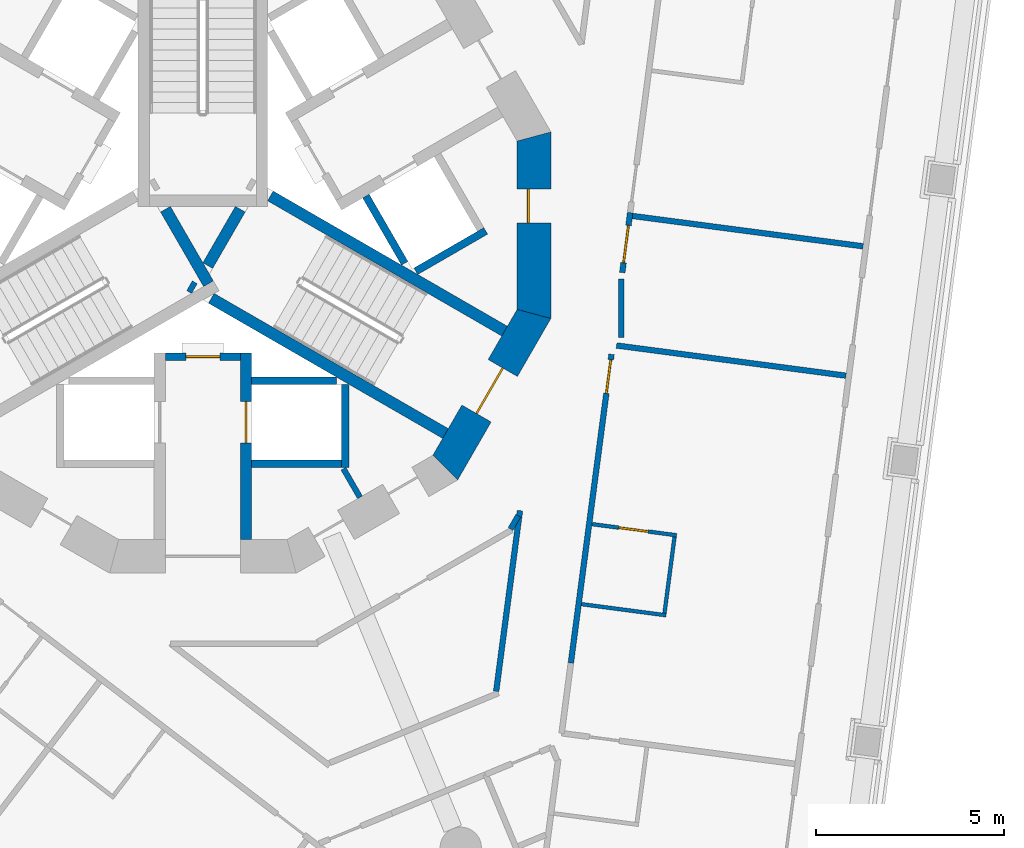
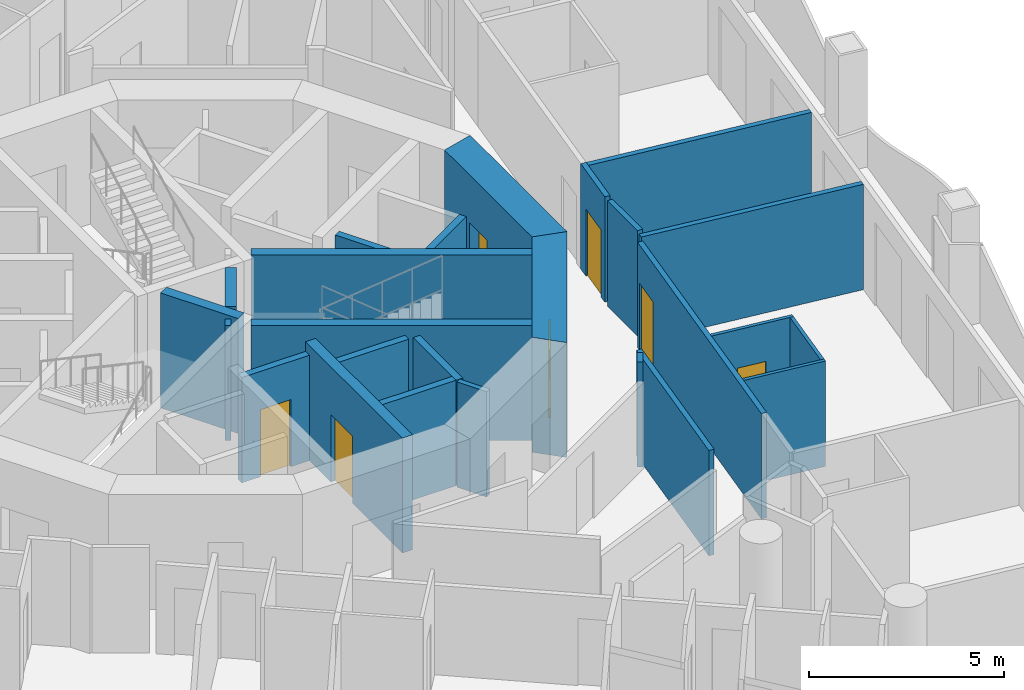
# One storey, part 5 of 18: 25 walls, 7 doors, 7 openings.
"""IFC4 building model written with IfcOpenShell, lengths in metres."""

from ifc_helpers import new_model, si_unit, direction, frame, frame_2d, origin, place, context, subcontext, project, spatial, polyline, rectangle, outline, extrude, material, layer, layer_set, type_object, element, fill, save


model = new_model("IFC4")

# Units and contexts
model_context = context("Model", 3, precision=1e-05, world=origin(), true_north=direction((0.0, 1.0)))
body_context = subcontext(model_context, "Body", "Model", "MODEL_VIEW")
ifc_project = project(units=[si_unit("LENGTHUNIT", "METRE"), si_unit("AREAUNIT", "SQUARE_METRE"), si_unit("VOLUMEUNIT", "CUBIC_METRE"), si_unit("PLANEANGLEUNIT", "RADIAN"), si_unit("MASSUNIT", "GRAM", prefix="KILO")], contexts=[model_context])

# Site, building, storey
site_placement = place(None, origin())
site = spatial("IfcSite", under=ifc_project, at=site_placement, CompositionType="ELEMENT")
building_placement = place(site_placement, origin())
building = spatial("IfcBuilding", under=site, at=building_placement, Name="Trine Commons Tower", CompositionType="ELEMENT")
storey_placement = place(building_placement, frame((0.0, 0.0, 142.199951171875)))
storey = spatial("IfcBuildingStorey", under=building, at=storey_placement, Name="L36", CompositionType="ELEMENT", Elevation=142.199951171875)

# Wall
ifc_material_1 = material(Name="Plasterboard partition on steel studs", Category="steel")
ifc_layer_1 = layer(ifc_material_1, 0.14990234375)
ifc_layer_set_1 = layer_set([ifc_layer_1], Name="Plasterboard partition on steel studs")
wall_type_1 = type_object("IfcWallType", Name="Core room partition 150 mm, EI 60", PredefinedType="PARTITIONING", material=ifc_layer_set_1)
wall_1_placement = place(storey_placement, frame((84.18603515625, 55.2490234375, 0.0), z_axis=(0.0, 0.0, 1.0), x_axis=(-0.499890179513, 0.866088799389, 0.0)))
element("IfcWall", 1, at=wall_1_placement, inside=storey, type_object=wall_type_1, Name="Core room partition L36", PredefinedType="PARTITIONING", context=body_context, shape_type="SweptSolid", body=[
    extrude(rectangle(XDim=0.882080078125, YDim=0.14990234375, at=frame_2d((0.44091796875, 0.0))), origin(), (0.0, 0.0, 1.0), 3.300048828125),
])

# Wall, opening, door
ifc_material_2 = material(Name="Fire-rated gypsum shaft wall system")
ifc_layer_2 = layer(ifc_material_2, 0.199951171875)
ifc_layer_set_2 = layer_set([ifc_layer_2], Name="Fire-rated gypsum shaft wall system")
wall_type_2 = type_object("IfcWallType", Name="Lobby end wall 200 mm, EI 120", PredefinedType="PARTITIONING", material=ifc_layer_set_2)
wall_2_placement = place(storey_placement, frame((79.0, 59.0, 0.0), z_axis=(0.0, 0.0, 1.0), x_axis=(1.0, 0.0, 0.0)))
wall_2 = element("IfcWall", 2, at=wall_2_placement, inside=storey, type_object=wall_type_2, Name="Lobby end wall L36", PredefinedType="PARTITIONING", context=body_context, shape_type="SweptSolid", body=[
    extrude(rectangle(XDim=2.0, YDim=0.199951171875, at=frame_2d((1.0, 0.0))), origin(), (0.0, 0.0, 1.0), 3.300048828125),
])
opening_1_placement = place(wall_2_placement, frame((0.550048828125, 0.0, 0.0)))
opening_1 = element("IfcOpeningElement", 3, at=opening_1_placement, cuts=wall_2, Name="Opening K11.09", PredefinedType="OPENING", context=body_context, shape_type="SweptSolid", body=[
    extrude(rectangle(XDim=0.89990234375, YDim=2.10009765625, at=frame_2d((0.449951171875, 1.050048828125))), frame((0.0, 0.10986328125, 0.0), z_axis=(0.0, -1.0, 0.0), x_axis=(1.0, 0.0, 0.0)), (0.0, 0.0, 1.0), 0.219970703125),
])
ifc_material_3 = material(Name="Steel door leaf, fire-rated", Category="steel")
door_type_1 = type_object("IfcDoorType", Name="Riser access door, single leaf 900 x 2100, FD60", OperationType="SINGLE_SWING_LEFT", PredefinedType="DOOR", material=ifc_material_3)
door_1_placement = place(opening_1_placement, frame((0.89990234375, 0.0, 0.0), z_axis=(0.0, 0.0, 1.0), x_axis=(-1.0, 0.0, 0.0)))
door_1 = element("IfcDoor", 4, at=door_1_placement, inside=storey, type_object=door_type_1, Name="Riser door, Communications riser L36", OperationType="SINGLE_SWING_RIGHT", OverallHeight=2.10009765625, OverallWidth=0.89990234375, PredefinedType="DOOR", context=body_context, shape_type="SweptSolid", body=[
    extrude(rectangle(XDim=0.89990234375, YDim=2.10009765625, at=frame_2d((0.449951171875, 1.050048828125))), frame((0.0, 0.02490234375, 0.0), z_axis=(0.0, -1.0, 0.0), x_axis=(1.0, 0.0, 0.0)), (0.0, 0.0, 1.0), 0.050048828125),
])
fill(opening_1, door_1)

ifc_material_4 = material(Name="Concrete C70/85", Category="concrete")
ifc_layer_3 = layer(ifc_material_4, 0.300048828125)
ifc_layer_set_3 = layer_set([ifc_layer_3], Name="Concrete C70/85")
wall_type_3 = type_object("IfcWallType", Name="RC shear wall 300 mm, C70/85", PredefinedType="SHEAR", material=ifc_layer_set_3)
wall_3_placement = place(storey_placement, frame((81.14990234375, 59.10009765625, 0.0), z_axis=(0.0, 0.0, 1.0), x_axis=(0.0, -1.0, 0.0)))
wall_3 = element("IfcWall", 5, at=wall_3_placement, inside=storey, type_object=wall_type_3, Name="Core cross wall SWB-04 L36", PredefinedType="SHEAR", context=body_context, shape_type="SweptSolid", body=[
    extrude(rectangle(XDim=4.97314453125, YDim=0.300048828125, at=frame_2d((2.486572265625, 0.0))), origin(), (0.0, 0.0, 1.0), 3.60009765625),
])
opening_2_placement = place(wall_3_placement, frame((1.300048828125, 0.0, 0.0)))
opening_2 = element("IfcOpeningElement", 6, at=opening_2_placement, cuts=wall_3, Name="Opening LD9", PredefinedType="OPENING", context=body_context, shape_type="SweptSolid", body=[
    extrude(rectangle(XDim=1.10009765625, YDim=2.10009765625, at=frame_2d((0.550048828125, 1.050048828125))), frame((0.0, 0.159912109375, 0.0), z_axis=(0.0, -1.0, 0.0), x_axis=(1.0, 0.0, 0.0)), (0.0, 0.0, 1.0), 0.320068359375),
])
ifc_material_5 = material(Name="Stainless steel sliding door leaves", Category="steel")
door_type_2 = type_object("IfcDoorType", Name="Lift landing door, centre-opening sliding 1100 x 2100, FD90", OperationType="DOUBLE_DOOR_SLIDING", PredefinedType="DOOR", material=ifc_material_5)
door_2_placement = place(opening_2_placement, origin())
door_2 = element("IfcDoor", 7, at=door_2_placement, inside=storey, type_object=door_type_2, Name="Lift landing door FF1 L36", OperationType="DOUBLE_DOOR_SLIDING", OverallHeight=2.10009765625, OverallWidth=1.10009765625, PredefinedType="DOOR", context=body_context, shape_type="SweptSolid", body=[
    extrude(rectangle(XDim=1.10009765625, YDim=2.10009765625, at=frame_2d((0.550048828125, 1.050048828125))), frame((0.0, 0.02490234375, 0.0), z_axis=(0.0, -1.0, 0.0), x_axis=(1.0, 0.0, 0.0)), (0.0, 0.0, 1.0), 0.050048828125),
])
fill(opening_2, door_2)

# Walls
wall_4_placement = place(storey_placement, frame((79.0029296875, 62.926025390625, 0.0), z_axis=(0.0, 0.0, 1.0), x_axis=(0.499965247104, -0.866045467449, 0.0)))
element("IfcWall", 8, at=wall_4_placement, inside=storey, type_object=wall_type_3, Name="Core cross wall SWB-10 L36", PredefinedType="SHEAR", context=body_context, shape_type="SweptSolid", body=[
    extrude(rectangle(XDim=2.292236328125, YDim=0.300048828125, at=frame_2d((1.14599609375, 0.0))), origin(), (0.0, 0.0, 1.0), 3.60009765625),
])
wall_5_placement = place(storey_placement, frame((79.64599609375, 60.885986328125, 0.0), z_axis=(0.0, 0.0, 1.0), x_axis=(0.867331893649, -0.497730234424, 0.0)))
element("IfcWall", 9, at=wall_5_placement, inside=storey, type_object=wall_type_3, Name="Core cross wall SWB-11 L36", PredefinedType="SHEAR", context=body_context, shape_type="SweptSolid", body=[
    extrude(rectangle(XDim=0.148681640625, YDim=0.300048828125, at=frame_2d((0.07421875, 0.0))), origin(), (0.0, 0.0, 1.0), 3.60009765625),
])
wall_6_placement = place(storey_placement, frame((80.1298828125, 61.424072265625, 0.0), z_axis=(0.0, 0.0, 1.0), x_axis=(0.500014901547, 0.866016800201, 0.0)))
element("IfcWall", 10, at=wall_6_placement, inside=storey, type_object=wall_type_3, Name="Core cross wall SWB-12 L36", PredefinedType="SHEAR", context=body_context, shape_type="SweptSolid", body=[
    extrude(rectangle(XDim=1.734375, YDim=0.300048828125, at=frame_2d((0.8671875, 0.0))), origin(), (0.0, 0.0, 1.0), 3.60009765625),
])
for number, where, z_axis, x_axis, name in (
    (11, (80.22509765625, 60.552001953125, 0.0), (0.0, 0.0, 1.0), (0.866028135082, -0.499995269223, 0.0), "Core cross wall SWB-13 L36"),
    (12, (81.800048828125, 63.280029296875, 0.0), (0.0, 0.0, 1.0), (0.866028135082, -0.499995269223, 0.0), "Core cross wall SWB-18 L36"),
):
    element("IfcWall", number, at=place(storey_placement, frame(where, z_axis=z_axis, x_axis=x_axis)), inside=storey, type_object=wall_type_3, Name=name, PredefinedType="SHEAR", context=body_context, shape_type="SweptSolid", body=[
        extrude(rectangle(XDim=7.2041015625, YDim=0.300048828125, at=frame_2d((3.60205078125, 0.0))), origin(), (0.0, 0.0, 1.0), 3.60009765625),
    ])

# Wall, opening, door
ifc_layer_4 = layer(ifc_material_4, 0.89990234375)
ifc_layer_set_4 = layer_set([ifc_layer_4], Name="Concrete C70/85")
wall_type_4 = type_object("IfcWallType", Name="RC shear wall 900 mm, C70/85", PredefinedType="SHEAR", material=ifc_layer_set_4)
wall_7_placement = place(storey_placement, frame((88.822998046875, 60.015380859375, 0.0), z_axis=(0.0, 0.0, 1.0), x_axis=(0.0, 1.0, 0.0)))
wall_7 = element("IfcWall", 13, at=wall_7_placement, inside=storey, type_object=wall_type_4, Name="Core wall CWD-01 L36", PredefinedType="SHEAR", context=body_context, shape_type="SweptSolid", body=[
    extrude(outline(polyline([(0.0, -0.449951171875), (4.969482421875, -0.449951171875), (4.728271484375, 0.449951171875), (0.2412109375, 0.449951171875), (0.0, -0.449951171875)])), origin(), (0.0, 0.0, 1.0), 3.60009765625),
])
opening_3_placement = place(wall_7_placement, frame((2.543701171875, 0.0, 0.0)))
opening_3 = element("IfcOpeningElement", 14, at=opening_3_placement, cuts=wall_7, Name="Opening K11.10", PredefinedType="OPENING", context=body_context, shape_type="SweptSolid", body=[
    extrude(rectangle(XDim=0.89990234375, YDim=2.10009765625, at=frame_2d((0.449951171875, 1.050048828125))), frame((0.0, 0.4599609375, 0.0), z_axis=(0.0, -1.0, 0.0), x_axis=(1.0, 0.0, 0.0)), (0.0, 0.0, 1.0), 0.919921875),
])
door_type_3 = type_object("IfcDoorType", Name="Core room door, single leaf 900 x 2100, FD30S", OperationType="SINGLE_SWING_LEFT", PredefinedType="DOOR", material=ifc_material_3)
door_3_placement = place(opening_3_placement, origin())
door_3 = element("IfcDoor", 15, at=door_3_placement, inside=storey, type_object=door_type_3, Name="Door to Accessible WC L36", OperationType="SINGLE_SWING_RIGHT", OverallHeight=2.10009765625, OverallWidth=0.89990234375, PredefinedType="DOOR", context=body_context, shape_type="SweptSolid", body=[
    extrude(rectangle(XDim=0.89990234375, YDim=2.10009765625, at=frame_2d((0.449951171875, 1.050048828125))), frame((0.0, 0.1748046875, 0.0), z_axis=(0.0, -1.0, 0.0), x_axis=(1.0, 0.0, 0.0)), (0.0, 0.0, 1.0), 0.050048828125),
])
fill(opening_3, door_3)

wall_8_placement = place(storey_placement, frame((86.3984375, 55.936767578125, 0.0), z_axis=(0.0, 0.0, 1.0), x_axis=(0.500038571144, 0.866003133579, 0.0)))
wall_8 = element("IfcWall", 16, at=wall_8_placement, inside=storey, type_object=wall_type_4, Name="Core wall CWD-12 L36", PredefinedType="SHEAR", context=body_context, shape_type="SweptSolid", body=[
    extrude(outline(polyline([(0.0, -0.449951171875), (4.96923828125, -0.449951171875), (4.72802734375, 0.449951171875), (0.2412109375, 0.449951171875), (0.0, -0.449951171875)])), origin(), (0.0, 0.0, 1.0), 3.60009765625),
])
opening_4_placement = place(wall_8_placement, frame((1.78466796875, 0.0, 0.0)))
opening_4 = element("IfcOpeningElement", 17, at=opening_4_placement, cuts=wall_8, Name="Opening K11.03", PredefinedType="OPENING", context=body_context, shape_type="SweptSolid", body=[
    extrude(rectangle(XDim=1.39990234375, YDim=2.10009765625, at=frame_2d((0.699951171875, 1.050048828125))), frame((0.0, 0.4599609375, 0.0), z_axis=(0.0, -1.0, 0.0), x_axis=(1.0, 0.0, 0.0)), (0.0, 0.0, 1.0), 0.919921875),
])
ifc_material_6 = material(Name="Steel door leaves, fire-rated", Category="steel")
door_type_4 = type_object("IfcDoorType", Name="Stair door, double leaf 1400 x 2100, FD90", OperationType="DOUBLE_DOOR_SINGLE_SWING", PredefinedType="DOOR", material=ifc_material_6)
door_4_placement = place(opening_4_placement, origin())
door_4 = element("IfcDoor", 18, at=door_4_placement, inside=storey, type_object=door_type_4, Name="Stair door to Exit stair ST3B L36", OperationType="DOUBLE_DOOR_SINGLE_SWING", OverallHeight=2.10009765625, OverallWidth=1.39990234375, PredefinedType="DOOR", context=body_context, shape_type="SweptSolid", body=[
    extrude(rectangle(XDim=1.39990234375, YDim=2.10009765625, at=frame_2d((0.699951171875, 1.050048828125))), frame((0.0, 0.02490234375, 0.0), z_axis=(0.0, -1.0, 0.0), x_axis=(1.0, 0.0, 0.0)), (0.0, 0.0, 1.0), 0.050048828125),
])
fill(opening_4, door_4)

# Walls
ifc_layer_5 = layer(ifc_material_2, 0.199951171875)
ifc_layer_set_5 = layer_set([ifc_layer_5], Name="Fire-rated gypsum shaft wall system")
wall_type_5 = type_object("IfcWallType", Name="Shaft wall 200 mm, EI 120", PredefinedType="PARTITIONING", material=ifc_layer_set_5)
wall_9_placement = place(storey_placement, frame((81.300048828125, 56.14990234375, 0.0), z_axis=(0.0, 0.0, 1.0), x_axis=(1.0, 0.0, 0.0)))
element("IfcWall", 19, at=wall_9_placement, inside=storey, type_object=wall_type_5, Name="Shaft wall L36", PredefinedType="PARTITIONING", context=body_context, shape_type="SweptSolid", body=[
    extrude(rectangle(XDim=2.39990234375, YDim=0.199951171875, at=frame_2d((1.199951171875, 0.0))), origin(), (0.0, 0.0, 1.0), 3.300048828125),
])
wall_10_placement = place(storey_placement, frame((81.300048828125, 58.35009765625, 0.0), z_axis=(0.0, 0.0, 1.0), x_axis=(1.0, 0.0, 0.0)))
element("IfcWall", 20, at=wall_10_placement, inside=storey, type_object=wall_type_5, Name="Shaft wall L36", PredefinedType="PARTITIONING", context=body_context, shape_type="SweptSolid", body=[
    extrude(rectangle(XDim=2.264892578125, YDim=0.199951171875, at=frame_2d((1.13232421875, 0.0))), origin(), (0.0, 0.0, 1.0), 3.300048828125),
])
wall_11_placement = place(storey_placement, frame((83.800048828125, 58.257080078125, 0.0), z_axis=(0.0, 0.0, 1.0), x_axis=(0.0, -1.0, 0.0)))
element("IfcWall", 21, at=wall_11_placement, inside=storey, type_object=wall_type_5, Name="Shaft wall L36", PredefinedType="PARTITIONING", context=body_context, shape_type="SweptSolid", body=[
    extrude(rectangle(XDim=2.20703125, YDim=0.199951171875, at=frame_2d((1.103515625, 0.0))), origin(), (0.0, 0.0, 1.0), 3.300048828125),
])
wall_12_placement = place(storey_placement, frame((84.343994140625, 63.27587890625, 0.0), z_axis=(0.0, 0.0, 1.0), x_axis=(0.500271688072, -0.86586848777, 0.0)))
element("IfcWall", 22, at=wall_12_placement, inside=storey, type_object=wall_type_5, Name="Shaft wall L36", PredefinedType="PARTITIONING", context=body_context, shape_type="SweptSolid", body=[
    extrude(rectangle(XDim=2.064697265625, YDim=0.199951171875, at=frame_2d((1.0322265625, 0.0))), origin(), (0.0, 0.0, 1.0), 3.300048828125),
])
wall_13_placement = place(storey_placement, frame((85.675048828125, 61.27392578125, 0.0), z_axis=(0.0, 0.0, 1.0), x_axis=(0.866102336459, 0.499866725018, 0.0)))
element("IfcWall", 23, at=wall_13_placement, inside=storey, type_object=wall_type_5, Name="Shaft wall L36", PredefinedType="PARTITIONING", context=body_context, shape_type="SweptSolid", body=[
    extrude(rectangle(XDim=2.1484375, YDim=0.199951171875, at=frame_2d((1.07421875, 0.0))), origin(), (0.0, 0.0, 1.0), 3.300048828125),
])
ifc_material_7 = material(Name="Gypsum plasterboard on steel stud", Category="steel")
ifc_layer_6 = layer(ifc_material_7, 0.14990234375)
ifc_layer_set_6 = layer_set([ifc_layer_6], Name="Gypsum plasterboard on steel stud")
wall_type_6 = type_object("IfcWallType", Name="Unit and corridor wall 150 mm, EI 60", PredefinedType="PARTITIONING", material=ifc_layer_set_6)
wall_14_placement = place(storey_placement, frame((87.814697265625, 50.080322265625, 0.0), z_axis=(0.0, 0.0, 1.0), x_axis=(0.130546835993, 0.991442143351, 0.0)))
element("IfcWall", 24, at=wall_14_placement, inside=storey, type_object=wall_type_6, Name="Partition 102", PredefinedType="PARTITIONING", context=body_context, shape_type="SweptSolid", body=[
    extrude(rectangle(XDim=4.856689453125, YDim=0.14990234375, at=frame_2d((2.42822265625, 0.0))), origin(), (0.0, 0.0, 1.0), 3.300048828125),
])
wall_15_placement = place(storey_placement, frame((88.198486328125, 54.404052734375, 0.0), z_axis=(0.0, 0.0, 1.0), x_axis=(0.499481060725, 0.866324806281, 0.0)))
element("IfcWall", 25, at=wall_15_placement, inside=storey, type_object=wall_type_6, Name="Partition 105", PredefinedType="PARTITIONING", context=body_context, shape_type="SweptSolid", body=[
    extrude(rectangle(XDim=0.40869140625, YDim=0.14990234375, at=frame_2d((0.204345703125, 0.0))), origin(), (0.0, 0.0, 1.0), 3.300048828125),
])

# Wall, opening, door
wall_16_placement = place(storey_placement, frame((89.804931640625, 50.8349609375, 0.0), z_axis=(0.0, 0.0, 1.0), x_axis=(0.130544339744, 0.991442472038, 0.0)))
wall_16 = element("IfcWall", 26, at=wall_16_placement, inside=storey, type_object=wall_type_6, Name="Partition 117", PredefinedType="PARTITIONING", context=body_context, shape_type="SweptSolid", body=[
    extrude(rectangle(XDim=8.296142578125, YDim=0.14990234375, at=frame_2d((4.14794921875, 0.0))), origin(), (0.0, 0.0, 1.0), 3.300048828125),
])
opening_5_placement = place(wall_16_placement, frame((7.24609375, 0.0, 0.0)))
opening_5 = element("IfcOpeningElement", 27, at=opening_5_placement, cuts=wall_16, Name="Opening D-4B18", PredefinedType="OPENING", context=body_context, shape_type="SweptSolid", body=[
    extrude(rectangle(XDim=0.89990234375, YDim=2.10009765625, at=frame_2d((0.449951171875, 1.050048828125))), frame((0.0, 0.0849609375, 0.0), z_axis=(0.0, -1.0, 0.0), x_axis=(1.0, 0.0, 0.0)), (0.0, 0.0, 1.0), 0.169921875),
])
ifc_material_8 = material(Name="Timber fire door set", Category="wood")
door_type_5 = type_object("IfcDoorType", Name="Bedroom door 900 x 2100, FD30S", OperationType="NOTDEFINED", PredefinedType="DOOR", material=ifc_material_8)
door_5_placement = place(opening_5_placement, frame((0.89990234375, 0.0, 0.0), z_axis=(0.0, 0.0, 1.0), x_axis=(-1.0, 0.0, 0.0)))
door_5 = element("IfcDoor", 28, at=door_5_placement, inside=storey, type_object=door_type_5, Name="Door D-4B18", OperationType="SINGLE_SWING_LEFT", OverallHeight=2.10009765625, OverallWidth=0.89990234375, PredefinedType="DOOR", context=body_context, shape_type="SweptSolid", body=[
    extrude(rectangle(XDim=0.89990234375, YDim=2.10009765625, at=frame_2d((0.449951171875, 1.050048828125))), frame((0.0, 0.02490234375, 0.0), z_axis=(0.0, -1.0, 0.0), x_axis=(1.0, 0.0, 0.0)), (0.0, 0.0, 1.0), 0.050048828125),
])
fill(opening_5, door_5)

# Walls
wall_17_placement = place(storey_placement, frame((91.02197265625, 59.294921875, 0.0), z_axis=(0.0, 0.0, 1.0), x_axis=(0.991450522243, -0.130483186444, 0.0)))
element("IfcWall", 29, at=wall_17_placement, inside=storey, type_object=wall_type_6, Name="Partition 123", PredefinedType="PARTITIONING", context=body_context, shape_type="SweptSolid", body=[
    extrude(rectangle(XDim=6.1669921875, YDim=0.14990234375, at=frame_2d((3.08349609375, 0.0))), origin(), (0.0, 0.0, 1.0), 3.300048828125),
])
wall_18_placement = place(storey_placement, frame((91.14794921875, 59.512939453125, 0.0), z_axis=(0.0, 0.0, 1.0), x_axis=(0.0, 1.0, 0.0)))
element("IfcWall", 30, at=wall_18_placement, inside=storey, type_object=wall_type_6, Name="Partition 125", PredefinedType="PARTITIONING", context=body_context, shape_type="SweptSolid", body=[
    extrude(rectangle(XDim=1.550048828125, YDim=0.14990234375, at=frame_2d((0.77490234375, 0.0))), origin(), (0.0, 0.0, 1.0), 3.300048828125),
])

# Wall, opening, door
wall_19_placement = place(storey_placement, frame((91.175048828125, 61.237060546875, 0.0), z_axis=(0.0, 0.0, 1.0), x_axis=(0.130168355053, 0.991491905838, 0.0)))
wall_19 = element("IfcWall", 31, at=wall_19_placement, inside=storey, type_object=wall_type_6, Name="Partition 126", PredefinedType="PARTITIONING", context=body_context, shape_type="SweptSolid", body=[
    extrude(rectangle(XDim=1.611083984375, YDim=0.14990234375, at=frame_2d((0.8056640625, 0.0))), origin(), (0.0, 0.0, 1.0), 3.300048828125),
])
opening_6_placement = place(wall_19_placement, frame((0.26611328125, 0.0, 0.0)))
opening_6 = element("IfcOpeningElement", 32, at=opening_6_placement, cuts=wall_19, Name="Opening D-4B17", PredefinedType="OPENING", context=body_context, shape_type="SweptSolid", body=[
    extrude(rectangle(XDim=1.0, YDim=2.10009765625, at=frame_2d((0.5, 1.050048828125))), frame((0.0, 0.0849609375, 0.0), z_axis=(0.0, -1.0, 0.0), x_axis=(1.0, 0.0, 0.0)), (0.0, 0.0, 1.0), 0.169921875),
])
ifc_material_9 = material(Name="Painted timber", Category="wood")
door_type_6 = type_object("IfcDoorType", Name="Amenity room door 1000 x 2100, NOT RATED", OperationType="NOTDEFINED", PredefinedType="DOOR", material=ifc_material_9)
door_6_placement = place(opening_6_placement, frame((1.0, 0.0, 0.0), z_axis=(0.0, 0.0, 1.0), x_axis=(-1.0, 0.0, 0.0)))
door_6 = element("IfcDoor", 33, at=door_6_placement, inside=storey, type_object=door_type_6, Name="Door D-4B17", OperationType="SINGLE_SWING_RIGHT", OverallHeight=2.10009765625, OverallWidth=1.0, PredefinedType="DOOR", context=body_context, shape_type="SweptSolid", body=[
    extrude(rectangle(XDim=1.0, YDim=2.10009765625, at=frame_2d((0.5, 1.050048828125))), frame((0.0, 0.02490234375, 0.0), z_axis=(0.0, -1.0, 0.0), x_axis=(1.0, 0.0, 0.0)), (0.0, 0.0, 1.0), 0.050048828125),
])
fill(opening_6, door_6)

# Walls
wall_20_placement = place(storey_placement, frame((91.449462890625, 62.74609375, 0.0), z_axis=(0.0, 0.0, 1.0), x_axis=(0.991457381012, -0.130431060858, 0.0)))
element("IfcWall", 34, at=wall_20_placement, inside=storey, type_object=wall_type_6, Name="Partition 128", PredefinedType="PARTITIONING", context=body_context, shape_type="SweptSolid", body=[
    extrude(rectangle(XDim=6.19384765625, YDim=0.14990234375, at=frame_2d((3.096923828125, 0.0))), origin(), (0.0, 0.0, 1.0), 3.300048828125),
])
ifc_layer_7 = layer(ifc_material_7, 0.10009765625)
ifc_layer_set_7 = layer_set([ifc_layer_7], Name="Gypsum plasterboard on steel stud")
wall_type_7 = type_object("IfcWallType", Name="Unit partition 100 mm, no rating", PredefinedType="PARTITIONING", material=ifc_layer_set_7)
wall_21_placement = place(storey_placement, frame((90.08740234375, 52.4033203125, 0.0), z_axis=(0.0, 0.0, 1.0), x_axis=(0.991445890878, -0.130518372124, 0.0)))
element("IfcWall", 35, at=wall_21_placement, inside=storey, type_object=wall_type_7, Name="Partition 118", PredefinedType="PARTITIONING", context=body_context, shape_type="SweptSolid", body=[
    extrude(rectangle(XDim=2.274658203125, YDim=0.10009765625, at=frame_2d((1.13720703125, 0.0))), origin(), (0.0, 0.0, 1.0), 3.300048828125),
])

# Wall, opening, door
wall_22_placement = place(storey_placement, frame((90.368408203125, 54.53515625, 0.0), z_axis=(0.0, 0.0, 1.0), x_axis=(0.991459774706, -0.130412864162, 0.0)))
wall_22 = element("IfcWall", 36, at=wall_22_placement, inside=storey, type_object=wall_type_7, Name="Partition 121", PredefinedType="PARTITIONING", context=body_context, shape_type="SweptSolid", body=[
    extrude(rectangle(XDim=2.274658203125, YDim=0.10009765625, at=frame_2d((1.13720703125, 0.0))), origin(), (0.0, 0.0, 1.0), 3.300048828125),
])
opening_7_placement = place(wall_22_placement, frame((0.71240234375, 0.0, 0.0)))
opening_7 = element("IfcOpeningElement", 37, at=opening_7_placement, cuts=wall_22, Name="Opening D-4B48", PredefinedType="OPENING", context=body_context, shape_type="SweptSolid", body=[
    extrude(rectangle(XDim=0.800048828125, YDim=2.10009765625, at=frame_2d((0.39990234375, 1.050048828125))), frame((0.0, 0.06005859375, 0.0), z_axis=(0.0, -1.0, 0.0), x_axis=(1.0, 0.0, 0.0)), (0.0, 0.0, 1.0), 0.1201171875),
])
door_type_7 = type_object("IfcDoorType", Name="Internal door 800 x 2100, NOT RATED", OperationType="NOTDEFINED", PredefinedType="DOOR", material=ifc_material_9)
door_7_placement = place(opening_7_placement, origin())
door_7 = element("IfcDoor", 38, at=door_7_placement, inside=storey, type_object=door_type_7, Name="Door D-4B48", OperationType="SINGLE_SWING_LEFT", OverallHeight=2.10009765625, OverallWidth=0.800048828125, PredefinedType="DOOR", context=body_context, shape_type="SweptSolid", body=[
    extrude(rectangle(XDim=0.800048828125, YDim=2.10009765625, at=frame_2d((0.39990234375, 1.050048828125))), frame((0.0, 0.02490234375, 0.0), z_axis=(0.0, -1.0, 0.0), x_axis=(1.0, 0.0, 0.0)), (0.0, 0.0, 1.0), 0.050048828125),
])
fill(opening_7, door_7)

# Wall
wall_23_placement = place(storey_placement, frame((92.299560546875, 52.16259765625, 0.0), z_axis=(0.0, 0.0, 1.0), x_axis=(0.130627005462, 0.991431583844, 0.0)))
element("IfcWall", 39, at=wall_23_placement, inside=storey, type_object=wall_type_7, Name="Partition 134", PredefinedType="PARTITIONING", context=body_context, shape_type="SweptSolid", body=[
    extrude(rectangle(XDim=2.05029296875, YDim=0.10009765625, at=frame_2d((1.025146484375, 0.0))), origin(), (0.0, 0.0, 1.0), 3.300048828125),
])

save(model, "model.ifc")
